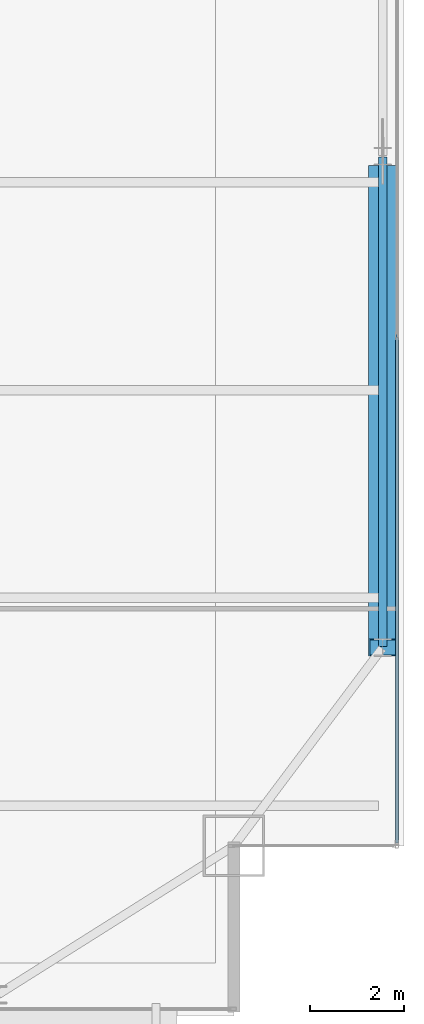
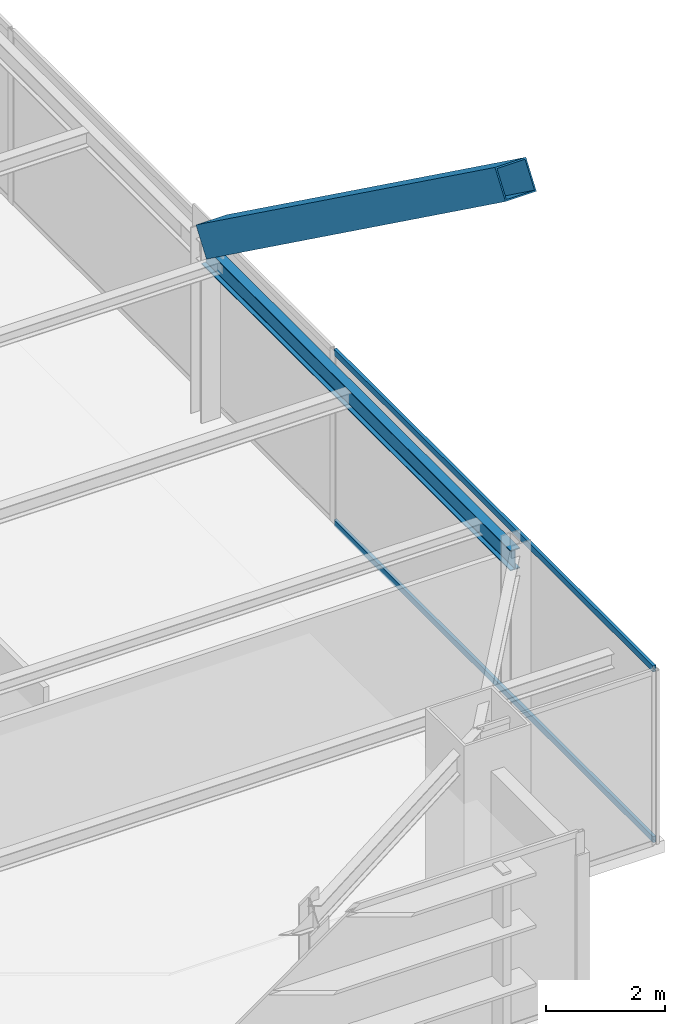
# One storey, part 16 of 30: 3 members, 1 beam, 1 element without a shape of its own.
"""IFC4 building model written with IfcOpenShell, lengths in metres."""

import ifcopenshell
import ifcopenshell.guid

model = None  # the IFC model being written
_history = None  # IfcOwnerHistory: only IFC2X3 demands one
_inside = {}  # id of a spatial element -> (the spatial element, [elements in it])
_under = {}  # id of a project, library or spatial element -> (it, [spatial elements below it])
_declared = {}  # id of a project -> (the project, [libraries it declares])
_typed = {}  # id of a type object -> (the type object, [elements of that type])
_made_of = {}  # id of a material, layer set ... -> (it, [elements and type objects made of it])


def new_model(schema):
    """Start an empty IFC model of exactly this schema.

    Asked for "IFC4X3", IfcOpenShell would pick the latest addendum, in which some entities
    have other attributes; the version numbers below select the first issue.
    IFC2X3 requires an IfcOwnerHistory on every rooted entity: one is made here for all.
    """
    global model, _history
    if schema == "IFC4X3":
        model = ifcopenshell.file(schema_version=(4, 3, 0, 0))
    else:
        model = ifcopenshell.file(schema=schema)
    _inside.clear()
    _under.clear()
    _declared.clear()
    _typed.clear()
    _made_of.clear()
    _history = None
    if model.schema == "IFC2X3":
        org = make("IfcOrganization", Name="unknown")
        user = make(
            "IfcPersonAndOrganization",
            ThePerson=make("IfcPerson", FamilyName="unknown"),
            TheOrganization=org,
        )
        app = make(
            "IfcApplication",
            ApplicationDeveloper=org,
            Version="unknown",
            ApplicationFullName="unknown",
            ApplicationIdentifier="unknown",
        )
        _history = make(
            "IfcOwnerHistory",
            OwningUser=user,
            OwningApplication=app,
            ChangeAction="ADDED",
            CreationDate=0,
        )
    return model


def make(cls, **values):
    """One entity of the class cls with the attributes given. An attribute that is None is left unset."""
    return model.create_entity(
        cls, **{name: value for name, value in values.items() if value is not None}
    )


def rooted(cls, **values):
    """An entity with a GlobalId (a new one), such as an element, a storey or a relation."""
    return make(cls, GlobalId=ifcopenshell.guid.new(), OwnerHistory=_history, **values)


def si_unit(unit_type, name, prefix=None):
    """IfcSIUnit, for example si_unit("LENGTHUNIT", "METRE", prefix="MILLI")."""
    return make("IfcSIUnit", UnitType=unit_type, Prefix=prefix, Name=name)


def assignment(units):
    """IfcUnitAssignment: the units of a project."""
    return None if units is None else make("IfcUnitAssignment", Units=units)


def point(xyz):
    """IfcCartesianPoint."""
    return None if xyz is None else make("IfcCartesianPoint", Coordinates=xyz)


def direction(xyz):
    """IfcDirection."""
    return None if xyz is None else make("IfcDirection", DirectionRatios=xyz)


def frame(location, z_axis=None, x_axis=None):
    """IfcAxis2Placement3D, a coordinate frame: its origin and axes. An axis left out is left unset."""
    return make(
        "IfcAxis2Placement3D",
        Location=point(location),
        Axis=direction(z_axis),
        RefDirection=direction(x_axis),
    )


def frame_2d(location, x_axis=None):
    """IfcAxis2Placement2D, a coordinate frame in the plane: its origin and x axis."""
    return make(
        "IfcAxis2Placement2D", Location=point(location), RefDirection=direction(x_axis)
    )


def origin():
    """The frame at (0, 0, 0) with its axes left unset."""
    return frame((0.0, 0.0, 0.0))


def origin_2d():
    """The frame at (0, 0) in the plane with its x axis left unset."""
    return frame_2d((0.0, 0.0))


def place(relative_to, where):
    """IfcLocalPlacement: puts the frame where relative to a parent placement (None: the world)."""
    return make(
        "IfcLocalPlacement", PlacementRelTo=relative_to, RelativePlacement=where
    )


def context(
    kind, dimensions, precision=None, world=None, true_north=None, identifier=None
):
    """IfcGeometricRepresentationContext, for example the 3D "Model" context."""
    return make(
        "IfcGeometricRepresentationContext",
        ContextIdentifier=identifier,
        ContextType=kind,
        CoordinateSpaceDimension=dimensions,
        Precision=precision,
        WorldCoordinateSystem=world,
        TrueNorth=true_north,
    )


def subcontext(parent, identifier, kind, view, scale=None):
    """IfcGeometricRepresentationSubContext, for example "Body" below "Model"."""
    return make(
        "IfcGeometricRepresentationSubContext",
        ContextIdentifier=identifier,
        ContextType=kind,
        ParentContext=parent,
        TargetScale=scale,
        TargetView=view,
    )


def project(units=None, contexts=None):
    """IfcProject with its units and contexts."""
    return rooted(
        "IfcProject",
        Name="project",
        RepresentationContexts=contexts,
        UnitsInContext=assignment(units),
    )


def spatial(cls, under=None, at=None, **own):
    """A site, building, storey or space (cls), placed at a placement, below another one or the project."""
    s = rooted(cls, ObjectPlacement=at, **own)
    if under is not None:
        _under.setdefault(under.id(), (under, []))[1].append(s)
    return s


def profile(cls, at=None, kind="AREA", **sizes):
    """A parametric profile (cls). Its sizes go by their IFC names, for example OverallWidth=200.0."""
    return make(cls, ProfileType=kind, Position=at, **sizes)


def hollow_rectangle(**sizes):
    """IfcRectangleHollowProfileDef."""
    return profile("IfcRectangleHollowProfileDef", **sizes)


def i_section(**sizes):
    """IfcIShapeProfileDef."""
    return profile("IfcIShapeProfileDef", **sizes)


def extrude(swept, where, along, depth):
    """IfcExtrudedAreaSolid: the profile swept, set in the frame where, extruded along a direction by depth."""
    return make(
        "IfcExtrudedAreaSolid",
        SweptArea=swept,
        Position=where,
        ExtrudedDirection=direction(along),
        Depth=depth,
    )


def shape(context_of_items, identifier, shape_type, items):
    """IfcShapeRepresentation: the items that make up one representation, for example the "Body"."""
    return make(
        "IfcShapeRepresentation",
        ContextOfItems=context_of_items,
        RepresentationIdentifier=identifier,
        RepresentationType=shape_type,
        Items=items,
    )


def source(mapping_origin, context_of_items, identifier, shape_type, items):
    """IfcRepresentationMap: a shape defined once, which mapped items show again and again."""
    return make(
        "IfcRepresentationMap",
        MappingOrigin=mapping_origin,
        MappedRepresentation=shape(context_of_items, identifier, shape_type, items),
    )


def transform(
    local_origin,
    x_axis=None,
    y_axis=None,
    z_axis=None,
    scale=None,
    scale2=None,
    scale3=None,
    uniform=True,
):
    """IfcCartesianTransformationOperator3D, or its non-uniform kind. x_axis, y_axis, z_axis: its Axis1, 2, 3."""
    if uniform:
        return make(
            "IfcCartesianTransformationOperator3D",
            Axis1=direction(x_axis),
            Axis2=direction(y_axis),
            LocalOrigin=point(local_origin),
            Scale=scale,
            Axis3=direction(z_axis),
        )
    return make(
        "IfcCartesianTransformationOperator3DnonUniform",
        Axis1=direction(x_axis),
        Axis2=direction(y_axis),
        LocalOrigin=point(local_origin),
        Scale=scale,
        Axis3=direction(z_axis),
        Scale2=scale2,
        Scale3=scale3,
    )


def mapped(mapping_source, mapping_target):
    """IfcMappedItem: shows the shape of a source again, moved by a transform."""
    return make(
        "IfcMappedItem", MappingSource=mapping_source, MappingTarget=mapping_target
    )


def material(Name=None, Category=None):
    """IfcMaterial."""
    return make("IfcMaterial", Name=Name, Category=Category)


def layer(
    of_material, thickness, ventilated=None, Name=None, Category=None, Priority=None
):
    """IfcMaterialLayer: one layer of a wall or slab, of a material (None: an air gap)."""
    return make(
        "IfcMaterialLayer",
        Material=of_material,
        LayerThickness=thickness,
        IsVentilated=ventilated,
        Name=Name,
        Category=Category,
        Priority=Priority,
    )


def layer_set(layers, Name=None):
    """IfcMaterialLayerSet."""
    return make("IfcMaterialLayerSet", MaterialLayers=layers, LayerSetName=Name)


def material_profile(
    of_material, cross_section, Name=None, Category=None, Priority=None
):
    """IfcMaterialProfile: a cross section and its material."""
    return make(
        "IfcMaterialProfile",
        Name=Name,
        Material=of_material,
        Profile=cross_section,
        Priority=Priority,
        Category=Category,
    )


def profile_set(profiles, Name=None, composite=None):
    """IfcMaterialProfileSet."""
    return make(
        "IfcMaterialProfileSet",
        Name=Name,
        MaterialProfiles=profiles,
        CompositeProfile=composite,
    )


def made_of(thing, what):
    """Note that an element or type object is made of a material, layer set ...; save() writes the relation."""
    if what is not None:
        _made_of.setdefault(what.id(), (what, []))[1].append(thing)
    return thing


def type_object(cls, material=None, **own):
    """A type object (cls), such as IfcWallType, which elements share."""
    return made_of(rooted(cls, **own), material)


def type_shapes(of_type, sources):
    """Give a type object the sources (RepresentationMaps) that its elements show as mapped items."""
    of_type.RepresentationMaps = sources


def element(
    cls,
    number,
    at=None,
    inside=None,
    cuts=None,
    type_object=None,
    material=None,
    context=None,
    identifier="Body",
    shape_type=None,
    held_by="IfcProductDefinitionShape",
    body=None,
    shapes=None,
    **own,
):
    """One element of the class cls, such as IfcWall. Its Tag is "e" and its number.

    at: its placement. inside: the storey or other place that contains it. cuts: it is an
    opening in that element (IfcRelVoidsElement). A single representation is given by context,
    identifier, shape_type and body (its items); several are given by shapes. held_by: the class
    of the entity that holds the representations. save() writes the other relations.
    """
    e = rooted(cls, Tag="e%d" % number, ObjectPlacement=at, **own)
    if body is not None:
        shapes = [shape(context, identifier, shape_type, body)]
    if shapes is not None:
        e.Representation = make(held_by, Representations=shapes)
    if inside is not None:
        _inside.setdefault(inside.id(), (inside, []))[1].append(e)
    if cuts is not None:
        rooted(
            "IfcRelVoidsElement", RelatingBuildingElement=cuts, RelatedOpeningElement=e
        )
    if type_object is not None:
        _typed.setdefault(type_object.id(), (type_object, []))[1].append(e)
    return made_of(e, material)


def aggregate(whole, parts):
    """IfcRelAggregates: a whole, such as a stair, and the parts it consists of."""
    return rooted("IfcRelAggregates", RelatingObject=whole, RelatedObjects=parts)


def save(model, path):
    """Write the relations noted so far, then the file.

    IfcRelAggregates (storeys below a building ...), IfcRelContainedInSpatialStructure (elements
    in a storey), IfcRelDefinesByType, IfcRelAssociatesMaterial and IfcRelDeclares: one each for
    every whole, place, type object, material and project.
    """
    for whole, parts in _under.values():
        aggregate(whole, parts)
    for where, things in _inside.values():
        rooted(
            "IfcRelContainedInSpatialStructure",
            RelatedElements=things,
            RelatingStructure=where,
        )
    for kind, things in _typed.values():
        rooted("IfcRelDefinesByType", RelatedObjects=things, RelatingType=kind)
    for what, things in _made_of.values():
        rooted("IfcRelAssociatesMaterial", RelatedObjects=things, RelatingMaterial=what)
    for by, libraries in _declared.values():
        rooted("IfcRelDeclares", RelatingContext=by, RelatedDefinitions=libraries)
    model.write(path)


model = new_model("IFC4")

# Units and contexts
model_context = context("Model", 3, precision=1e-05, world=origin(), true_north=direction((0.0, 1.0)))
body_context = subcontext(model_context, "Body", "Model", "MODEL_VIEW")
ifc_project = project(units=[si_unit("LENGTHUNIT", "METRE"), si_unit("AREAUNIT", "SQUARE_METRE"), si_unit("VOLUMEUNIT", "CUBIC_METRE"), si_unit("PLANEANGLEUNIT", "RADIAN"), si_unit("MASSUNIT", "GRAM", prefix="KILO")], contexts=[model_context])

# Site, building, storey
site_placement = place(None, origin())
site = spatial("IfcSite", under=ifc_project, at=site_placement, CompositionType="ELEMENT")
building_placement = place(site_placement, origin())
building = spatial("IfcBuilding", under=site, at=building_placement, Name="Varnel Quay Broadcast Tower", CompositionType="ELEMENT")
storey_placement = place(building_placement, frame((0.0, 0.0, 149.60009765625)))
storey = spatial("IfcBuildingStorey", under=building, at=storey_placement, Name="L36", CompositionType="ELEMENT", Elevation=149.60009765625)

# Beam
ifc_material_1 = material(Name="Structural Steel CSA G40.21 350W", Category="steel")
ifc_material_profile_1 = material_profile(ifc_material_1, i_section(OverallWidth=0.180908203125, OverallDepth=0.4169921875, WebThickness=0.010986328125, FlangeThickness=0.018310546875, FilletRadius=0.011962890625, at=origin_2d()), Name="W410X85")
ifc_profile_set_1 = profile_set([ifc_material_profile_1], Name="Structural Steel CSA G40.21 350W")
beam_type = type_object("IfcBeamType", Name="Beam_W410X85", PredefinedType="SPANDREL", material=ifc_profile_set_1)
shared_shape_1 = source(origin(), body_context, "Body", "SweptSolid", [
    extrude(i_section(OverallWidth=0.180908203125, OverallDepth=0.4169921875, WebThickness=0.010986328125, FlangeThickness=0.018310546875, FilletRadius=0.011962890625, at=origin_2d()), origin(), (0.0, 0.0, 1.0), 10.35986328125),
])
type_shapes(beam_type, [shared_shape_1])
beam_placement = place(storey_placement, frame((60.550048828125, 15.02001953125, 3.34130859375), z_axis=(0.0, 1.0, 0.0), x_axis=(-1.0, 0.0, 0.0)))
element("IfcBeam", 1, at=beam_placement, inside=storey, type_object=beam_type, Name="L36 East Spandrel TC-E1-TC-E2", PredefinedType="SPANDREL", context=body_context, shape_type="MappedRepresentation", body=[
    mapped(shared_shape_1, transform((0.0, 0.0, 0.0), x_axis=(1.0, 0.0, 0.0), y_axis=(0.0, 1.0, 0.0), z_axis=(0.0, 0.0, 1.0), scale=1.0)),
])

# Member
ifc_material_2 = material(Name="Structural Steel CSA G40.21 350WT", Category="steel")
ifc_material_profile_2 = material_profile(ifc_material_2, hollow_rectangle(XDim=0.60009765625, YDim=0.60009765625, WallThickness=0.028076171875, at=origin_2d()), Name="BOX600X600X28")
ifc_profile_set_2 = profile_set([ifc_material_profile_2], Name="Structural Steel CSA G40.21 350WT")
member_type_1 = type_object("IfcMemberType", Name="Brace_BOX600X600X28", PredefinedType="BRACE", material=ifc_profile_set_2)
shared_shape_2 = source(origin(), body_context, "Body", "SweptSolid", [
    extrude(hollow_rectangle(XDim=0.60009765625, YDim=0.60009765625, WallThickness=0.028076171875, at=origin_2d()), origin(), (0.0, 0.0, 1.0), 12.3740234375),
])
type_shapes(member_type_1, [shared_shape_2])
member_1_placement = place(storey_placement, frame((60.550048828125, 25.02392578125, 3.874755859375), z_axis=(0.0, -0.810079456088, 0.586320112928), x_axis=(1.0, 0.0, 0.0)))
element("IfcMember", 2, at=member_1_placement, inside=storey, type_object=member_type_1, Name="Zone 3 Mega-Brace E-FT1 Split Diag B2", PredefinedType="BRACE", context=body_context, shape_type="MappedRepresentation", body=[
    mapped(shared_shape_2, transform((0.0, 0.0, 0.0), x_axis=(1.0, 0.0, 0.0), y_axis=(0.0, 1.0, 0.0), z_axis=(0.0, 0.0, 1.0), scale=1.0)),
])

# Curtain wall, members
ifc_material_3 = material(Name="Anodised Bronze Aluminium 6063-T6", Category="aluminium")
ifc_layer = layer(ifc_material_3, 0.18994140625, Name="Anodised Bronze Aluminium 6063-T6")
ifc_layer_set = layer_set([ifc_layer], Name="Anodised Bronze Aluminium 6063-T6")
curtain_wall_type = type_object("IfcCurtainWallType", Name="CW_UpperTower", PredefinedType="NOTDEFINED", material=ifc_layer_set)
curtain_wall_placement = place(storey_placement, origin())
curtain_wall = element("IfcCurtainWall", 3, at=curtain_wall_placement, inside=storey, type_object=curtain_wall_type, Name="L36 East Unitised Curtain Wall", PredefinedType="NOTDEFINED")
ifc_material_profile_3 = material_profile(ifc_material_3, hollow_rectangle(XDim=0.06005859375, YDim=0.125, WallThickness=0.0029296875, at=origin_2d()), Name="ALU60X125X3")
ifc_profile_set_3 = profile_set([ifc_material_profile_3], Name="Anodised Bronze Aluminium 6063-T6")
member_type_2 = type_object("IfcMemberType", Name="Tran_CWS-03", PredefinedType="USERDEFINED", material=ifc_profile_set_3)
shared_shape_3 = source(origin(), body_context, "Body", "SweptSolid", [
    extrude(hollow_rectangle(XDim=0.06005859375, YDim=0.125, WallThickness=0.0029296875, at=origin_2d()), origin(), (0.0, 0.0, 1.0), 10.702392578125),
])
type_shapes(member_type_2, [shared_shape_3])
member_2_placement = place(storey_placement, frame((60.85009765625, 10.864990234375, 0.02978515625), z_axis=(0.0, 1.0, 0.0), x_axis=(-1.0, 0.0, 0.0)))
member_2 = element("IfcMember", 4, at=member_2_placement, type_object=member_type_2, Name="CWS-03 transom 1.1", ObjectType="TRANSOM", PredefinedType="USERDEFINED", context=body_context, shape_type="MappedRepresentation", body=[
    mapped(shared_shape_3, transform((0.0, 0.0, 0.0), x_axis=(1.0, 0.0, 0.0), y_axis=(0.0, 1.0, 0.0), z_axis=(0.0, 0.0, 1.0), scale=1.0)),
])
member_3_placement = place(storey_placement, frame((60.85009765625, 10.864990234375, 3.52001953125), z_axis=(0.0, 1.0, 0.0), x_axis=(-1.0, 0.0, 0.0)))
member_3 = element("IfcMember", 5, at=member_3_placement, type_object=member_type_2, Name="CWS-03 transom 1.2", ObjectType="TRANSOM", PredefinedType="USERDEFINED", context=body_context, shape_type="MappedRepresentation", body=[
    mapped(shared_shape_3, transform((0.0, 0.0, 0.0), x_axis=(1.0, 0.0, 0.0), y_axis=(0.0, 1.0, 0.0), z_axis=(0.0, 0.0, 1.0), scale=1.0)),
])
aggregate(curtain_wall, [member_2, member_3])

save(model, "model.ifc")
